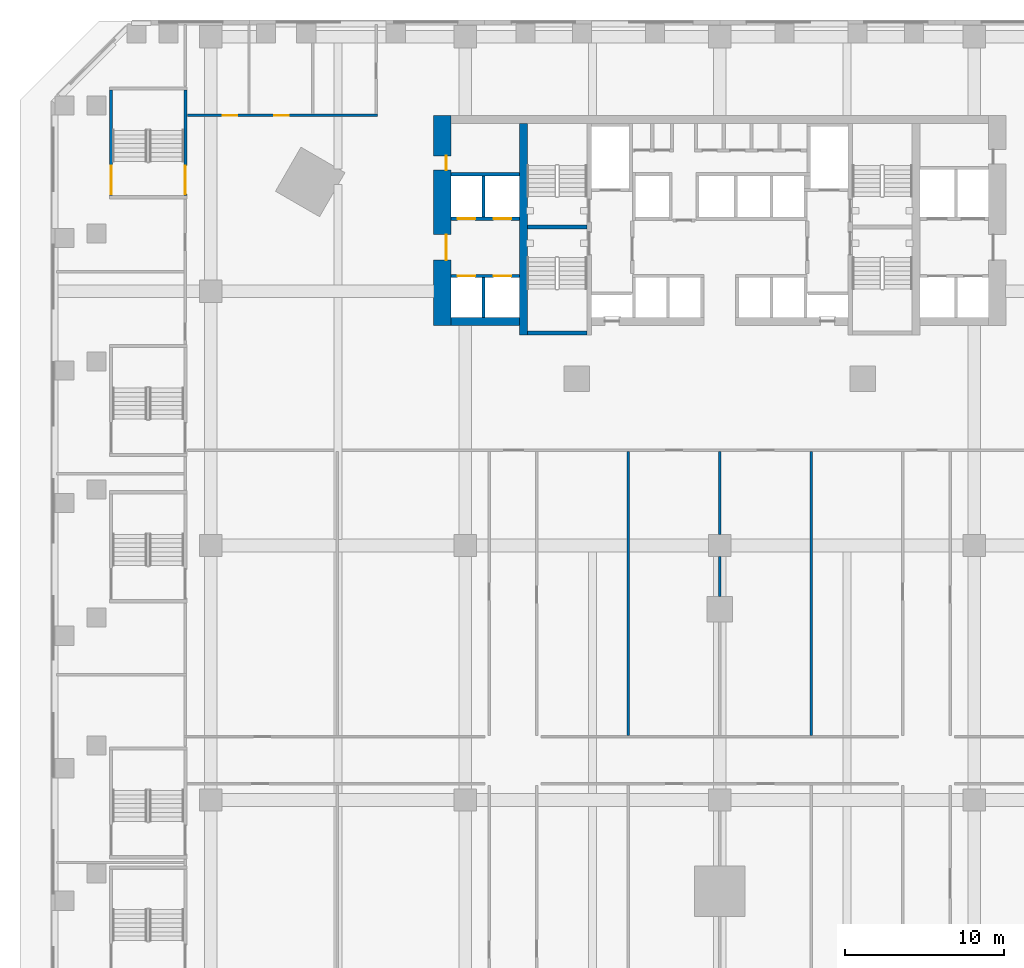
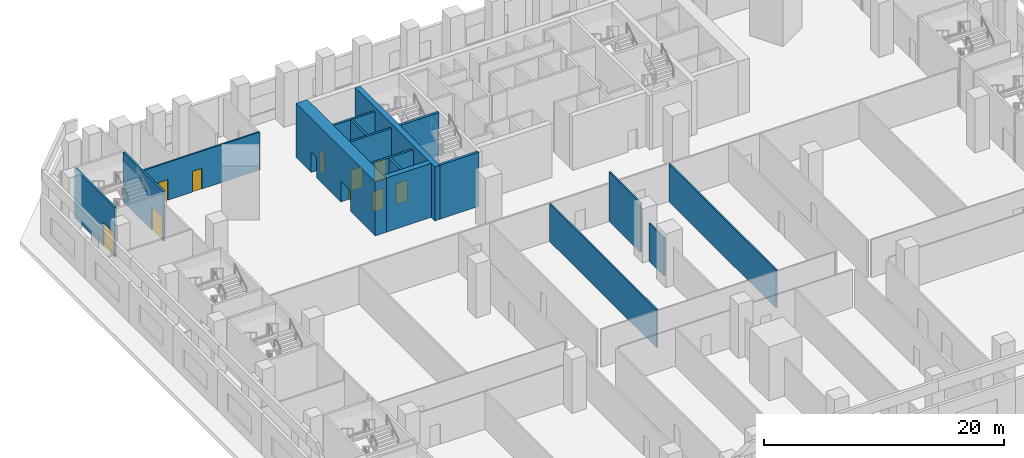
# One storey, part 6 of 22: 17 walls, 10 doors, 10 openings.
"""IFC4 building model written with IfcOpenShell, lengths in metres."""

from ifc_helpers import new_model, si_unit, direction, frame, frame_2d, origin, place, context, subcontext, project, spatial, rectangle, extrude, material, layer, layer_set, type_object, element, fill, save


model = new_model("IFC4")

# Units and contexts
model_context = context("Model", 3, precision=1e-05, world=origin(), true_north=direction((0.0, 1.0)))
body_context = subcontext(model_context, "Body", "Model", "MODEL_VIEW")
ifc_project = project(units=[si_unit("LENGTHUNIT", "METRE"), si_unit("AREAUNIT", "SQUARE_METRE"), si_unit("VOLUMEUNIT", "CUBIC_METRE"), si_unit("PLANEANGLEUNIT", "RADIAN"), si_unit("MASSUNIT", "GRAM", prefix="KILO")], contexts=[model_context])

# Site, building, storey
site_placement = place(None, origin())
site = spatial("IfcSite", under=ifc_project, at=site_placement, CompositionType="ELEMENT")
building_placement = place(site_placement, origin())
building = spatial("IfcBuilding", under=site, at=building_placement, Name="Calabash Gate Tower", CompositionType="ELEMENT")
storey_placement = place(building_placement, frame((0.0, 0.0, 34.5)))
storey = spatial("IfcBuildingStorey", under=building, at=storey_placement, Name="L04", CompositionType="ELEMENT", Elevation=34.5)

# Wall, openings, doors
ifc_material_1 = material(Name="Concrete C80/95", Category="concrete")
ifc_layer_1 = layer(ifc_material_1, 1.10009765625)
ifc_layer_set_1 = layer_set([ifc_layer_1], Name="Core wall 1100 Concrete C80/95")
wall_type_1 = type_object("IfcWallType", Name="Core wall 1100 Concrete C80/95", PredefinedType="SHEAR", material=ifc_layer_set_1)
wall_1_placement = place(storey_placement, frame((-17.449951171875, 5.8525390625, 0.0), z_axis=(0.0, 0.0, 1.0), x_axis=(0.0, 1.0, 0.0)))
wall_1 = element("IfcWall", 1, at=wall_1_placement, inside=storey, type_object=wall_type_1, Name="Core wall Z0-ENDW L04", PredefinedType="SHEAR", context=body_context, shape_type="SweptSolid", body=[
    extrude(rectangle(XDim=13.199951171875, YDim=1.10009765625, at=frame_2d((6.60009765625, 0.0))), origin(), (0.0, 0.0, 1.0), 5.5),
])
opening_1_placement = place(wall_1_placement, frame((4.10009765625, 0.0, 0.0)))
opening_1 = element("IfcOpeningElement", 2, at=opening_1_placement, cuts=wall_1, Name="Opening L04-016", PredefinedType="OPENING", context=body_context, shape_type="SweptSolid", body=[
    extrude(rectangle(XDim=1.60009765625, YDim=2.10009765625, at=frame_2d((0.800048828125, 1.050048828125))), frame((0.0, 0.56005859375, 0.0), z_axis=(0.0, -1.0, 0.0), x_axis=(1.0, 0.0, 0.0)), (0.0, 0.0, 1.0), 1.1201171875),
])
opening_2_placement = place(wall_1_placement, frame((9.75, 0.0, 0.0)))
opening_2 = element("IfcOpeningElement", 3, at=opening_2_placement, cuts=wall_1, Name="Opening L04-017", PredefinedType="OPENING", context=body_context, shape_type="SweptSolid", body=[
    extrude(rectangle(XDim=0.89990234375, YDim=2.10009765625, at=frame_2d((0.449951171875, 1.050048828125))), frame((0.0, 0.56005859375, 0.0), z_axis=(0.0, -1.0, 0.0), x_axis=(1.0, 0.0, 0.0)), (0.0, 0.0, 1.0), 1.1201171875),
])
ifc_material_2 = material(Name="Steel fire door set with fire-resisting glazing", Category="steel")
door_type_1 = type_object("IfcDoorType", Name="Double fire door D08 1600x2100 FD60", OperationType="DOUBLE_DOOR_SINGLE_SWING", PredefinedType="DOOR", material=ifc_material_2)
door_1_placement = place(opening_1_placement, origin())
door_1 = element("IfcDoor", 4, at=door_1_placement, inside=storey, type_object=door_type_1, Name="Low-rise Lift Lobby W door", OperationType="DOUBLE_DOOR_SINGLE_SWING", OverallHeight=2.10009765625, OverallWidth=1.60009765625, PredefinedType="DOOR", context=body_context, shape_type="SweptSolid", body=[
    extrude(rectangle(XDim=1.60009765625, YDim=2.10009765625, at=frame_2d((0.800048828125, 1.050048828125))), frame((0.0, -0.22509765625, 0.0), z_axis=(0.0, -1.0, 0.0), x_axis=(1.0, 0.0, 0.0)), (0.0, 0.0, 1.0), 0.050048828125),
])
fill(opening_1, door_1)
ifc_material_3 = material(Name="Steel fire door set with fire-resisting glazing", Category="steel")
door_type_2 = type_object("IfcDoorType", Name="Fire door D06 900x2100 FD60", OperationType="NOTDEFINED", PredefinedType="DOOR", material=ifc_material_3)
door_2_placement = place(opening_2_placement, origin())
door_2 = element("IfcDoor", 5, at=door_2_placement, inside=storey, type_object=door_type_2, Name="Store door", OperationType="SINGLE_SWING_RIGHT", OverallHeight=2.10009765625, OverallWidth=0.89990234375, PredefinedType="DOOR", context=body_context, shape_type="SweptSolid", body=[
    extrude(rectangle(XDim=0.89990234375, YDim=2.10009765625, at=frame_2d((0.449951171875, 1.050048828125))), frame((0.0, -0.22509765625, 0.0), z_axis=(0.0, -1.0, 0.0), x_axis=(1.0, 0.0, 0.0)), (0.0, 0.0, 1.0), 0.050048828125),
])
fill(opening_2, door_2)

# Walls
ifc_material_4 = material(Name="Concrete C80/95", Category="concrete")
ifc_layer_2 = layer(ifc_material_4, 0.25)
ifc_layer_set_2 = layer_set([ifc_layer_2], Name="Core wall 250 Concrete C80/95")
wall_type_2 = type_object("IfcWallType", Name="Core wall 250 Concrete C80/95", PredefinedType="SHEAR", material=ifc_layer_set_2)
for number, where, z_axis, x_axis, name in (
    (6, (-12.10009765625, 12.027587890625, 0.0), (0.0, 0.0, 1.0), (1.0, 0.0, 0.0), "Core wall Z0-MIDW L04"),
    (7, (-12.10009765625, 5.377685546875, 0.0), (0.0, 0.0, 1.0), (1.0, 0.0, 0.0), "Core wall Z0-SSW L04"),
):
    element("IfcWall", number, at=place(storey_placement, frame(where, z_axis=z_axis, x_axis=x_axis)), inside=storey, type_object=wall_type_2, Name=name, PredefinedType="SHEAR", context=body_context, shape_type="SweptSolid", body=[
        extrude(rectangle(XDim=3.75, YDim=0.25, at=frame_2d((1.875, 0.0))), origin(), (0.0, 0.0, 1.0), 5.5),
    ])
ifc_material_5 = material(Name="Concrete C80/95", Category="concrete")
ifc_layer_3 = layer(ifc_material_5, 0.5)
ifc_layer_set_3 = layer_set([ifc_layer_3], Name="Core wall 500 Concrete C80/95")
wall_type_3 = type_object("IfcWallType", Name="Core wall 500 Concrete C80/95", PredefinedType="SHEAR", material=ifc_layer_set_3)
wall_2_placement = place(storey_placement, frame((-12.35009765625, 5.252685546875, 0.0), z_axis=(0.0, 0.0, 1.0), x_axis=(0.0, 1.0, 0.0)))
element("IfcWall", 8, at=wall_2_placement, inside=storey, type_object=wall_type_3, Name="Core wall Z0-COLW L04", PredefinedType="SHEAR", context=body_context, shape_type="SweptSolid", body=[
    extrude(rectangle(XDim=13.2998046875, YDim=0.5, at=frame_2d((6.64990234375, 0.0))), origin(), (0.0, 0.0, 1.0), 5.5),
])
wall_3_placement = place(storey_placement, frame((-12.60009765625, 6.1025390625, 0.0), z_axis=(0.0, 0.0, 1.0), x_axis=(-1.0, 0.0, 0.0)))
element("IfcWall", 9, at=wall_3_placement, inside=storey, type_object=wall_type_3, Name="Core wall Z0-SW L04", PredefinedType="SHEAR", context=body_context, shape_type="SweptSolid", body=[
    extrude(rectangle(XDim=4.2998046875, YDim=0.5, at=frame_2d((2.14990234375, 0.0))), origin(), (0.0, 0.0, 1.0), 5.5),
])
ifc_material_6 = material(Name="Gypsum board on steel studs, mineral wool", Category="steel")
ifc_layer_4 = layer(ifc_material_6, 0.14990234375)
ifc_layer_set_4 = layer_set([ifc_layer_4], Name="Partition 150 gypsum board")
wall_type_4 = type_object("IfcWallType", Name="Partition 150 gypsum board", PredefinedType="PARTITIONING", material=ifc_layer_set_4)
for number, where, z_axis, x_axis, name in (
    (10, (-5.75, -19.925048828125, 0.0), (0.0, 0.0, 1.0), (0.0, 1.0, 0.0), "Partition"),
    (11, (5.75, -19.925048828125, 0.0), (0.0, 0.0, 1.0), (0.0, 1.0, 0.0), "Partition"),
):
    element("IfcWall", number, at=place(storey_placement, frame(where, z_axis=z_axis, x_axis=x_axis)), inside=storey, type_object=wall_type_4, Name=name, PredefinedType="PARTITIONING", context=body_context, shape_type="SweptSolid", body=[
        extrude(rectangle(XDim=17.85009765625, YDim=0.14990234375, at=frame_2d((8.925048828125, 0.0))), origin(), (0.0, 0.0, 1.0), 3.85009765625),
    ])
wall_4_placement = place(storey_placement, frame((0.0, -11.199951171875, 0.0), z_axis=(0.0, 0.0, 1.0), x_axis=(0.0, 1.0, 0.0)))
element("IfcWall", 12, at=wall_4_placement, inside=storey, type_object=wall_type_4, Name="Partition", PredefinedType="PARTITIONING", context=body_context, shape_type="SweptSolid", body=[
    extrude(rectangle(XDim=2.5, YDim=0.14990234375, at=frame_2d((1.25, 0.0))), origin(), (0.0, 0.0, 1.0), 3.85009765625),
])
wall_5_placement = place(storey_placement, frame((0.0, -7.300048828125, 0.0), z_axis=(0.0, 0.0, 1.0), x_axis=(0.0, 1.0, 0.0)))
element("IfcWall", 13, at=wall_5_placement, inside=storey, type_object=wall_type_4, Name="Partition", PredefinedType="PARTITIONING", context=body_context, shape_type="SweptSolid", body=[
    extrude(rectangle(XDim=5.22509765625, YDim=0.14990234375, at=frame_2d((2.612548828125, 0.0))), origin(), (0.0, 0.0, 1.0), 5.050048828125),
])

# Wall, openings, doors
wall_6_placement = place(storey_placement, frame((-33.4599609375, 19.050048828125, 0.0), z_axis=(0.0, 0.0, 1.0), x_axis=(1.0, 0.0, 0.0)))
wall_6 = element("IfcWall", 14, at=wall_6_placement, inside=storey, type_object=wall_type_4, Name="Partition", PredefinedType="PARTITIONING", context=body_context, shape_type="SweptSolid", body=[
    extrude(rectangle(XDim=11.93505859375, YDim=0.14990234375, at=frame_2d((5.967529296875, 0.0))), origin(), (0.0, 0.0, 1.0), 3.85009765625),
])
opening_3_placement = place(wall_6_placement, frame((2.2109375, 0.0, 0.0)))
opening_3 = element("IfcOpeningElement", 15, at=opening_3_placement, cuts=wall_6, Name="Opening L04-040", PredefinedType="OPENING", context=body_context, shape_type="SweptSolid", body=[
    extrude(rectangle(XDim=0.89990234375, YDim=2.10009765625, at=frame_2d((0.449951171875, 1.050048828125))), frame((0.0, 0.0849609375, 0.0), z_axis=(0.0, -1.0, 0.0), x_axis=(1.0, 0.0, 0.0)), (0.0, 0.0, 1.0), 0.169921875),
])
opening_4_placement = place(wall_6_placement, frame((5.4599609375, 0.0, 0.0)))
opening_4 = element("IfcOpeningElement", 16, at=opening_4_placement, cuts=wall_6, Name="Opening L04-041", PredefinedType="OPENING", context=body_context, shape_type="SweptSolid", body=[
    extrude(rectangle(XDim=0.89990234375, YDim=2.10009765625, at=frame_2d((0.449951171875, 1.050048828125))), frame((0.0, 0.0849609375, 0.0), z_axis=(0.0, -1.0, 0.0), x_axis=(1.0, 0.0, 0.0)), (0.0, 0.0, 1.0), 0.169921875),
])
ifc_material_7 = material(Name="Steel fire door set with fire-resisting glazing", Category="steel")
door_type_3 = type_object("IfcDoorType", Name="Fire door D13 900x2100 FD30", OperationType="NOTDEFINED", PredefinedType="DOOR", material=ifc_material_7)
door_3_placement = place(opening_3_placement, origin())
door_3 = element("IfcDoor", 17, at=door_3_placement, inside=storey, type_object=door_type_3, Name="Men's WC door", OperationType="SINGLE_SWING_LEFT", OverallHeight=2.10009765625, OverallWidth=0.89990234375, PredefinedType="DOOR", context=body_context, shape_type="SweptSolid", body=[
    extrude(rectangle(XDim=0.89990234375, YDim=2.10009765625, at=frame_2d((0.449951171875, 1.050048828125))), frame((0.0, 0.02490234375, 0.0), z_axis=(0.0, -1.0, 0.0), x_axis=(1.0, 0.0, 0.0)), (0.0, 0.0, 1.0), 0.050048828125),
])
fill(opening_3, door_3)
door_4_placement = place(opening_4_placement, origin())
door_4 = element("IfcDoor", 18, at=door_4_placement, inside=storey, type_object=door_type_3, Name="Women's WC door", OperationType="SINGLE_SWING_LEFT", OverallHeight=2.10009765625, OverallWidth=0.89990234375, PredefinedType="DOOR", context=body_context, shape_type="SweptSolid", body=[
    extrude(rectangle(XDim=0.89990234375, YDim=2.10009765625, at=frame_2d((0.449951171875, 1.050048828125))), frame((0.0, 0.02490234375, 0.0), z_axis=(0.0, -1.0, 0.0), x_axis=(1.0, 0.0, 0.0)), (0.0, 0.0, 1.0), 0.050048828125),
])
fill(opening_4, door_4)

# Wall
ifc_material_8 = material(Name="Concrete C40/50", Category="concrete")
ifc_layer_5 = layer(ifc_material_8, 0.199951171875)
ifc_layer_set_5 = layer_set([ifc_layer_5], Name="Shaft wall 200 Concrete C40/50")
wall_type_5 = type_object("IfcWallType", Name="Shaft wall 200 Concrete C40/50", PredefinedType="SOLIDWALL", material=ifc_layer_set_5)
wall_7_placement = place(storey_placement, frame((-14.85009765625, 6.3525390625, 0.0), z_axis=(0.0, 0.0, 1.0), x_axis=(0.0, 1.0, 0.0)))
element("IfcWall", 19, at=wall_7_placement, inside=storey, type_object=wall_type_5, Name="Shaft wall", PredefinedType="SOLIDWALL", context=body_context, shape_type="SweptSolid", body=[
    extrude(rectangle(XDim=2.5, YDim=0.199951171875, at=frame_2d((1.25, 0.0))), origin(), (0.0, 0.0, 1.0), 5.050048828125),
])

# Wall, openings, doors
wall_8_placement = place(storey_placement, frame((-16.89990234375, 8.95263671875, 0.0), z_axis=(0.0, 0.0, 1.0), x_axis=(1.0, 0.0, 0.0)))
wall_8 = element("IfcWall", 20, at=wall_8_placement, inside=storey, type_object=wall_type_5, Name="Shaft wall", PredefinedType="SOLIDWALL", context=body_context, shape_type="SweptSolid", body=[
    extrude(rectangle(XDim=4.2998046875, YDim=0.199951171875, at=frame_2d((2.14990234375, 0.0))), origin(), (0.0, 0.0, 1.0), 5.050048828125),
])
opening_5_placement = place(wall_8_placement, frame((2.675048828125, 0.0, 0.0)))
opening_5 = element("IfcOpeningElement", 21, at=opening_5_placement, cuts=wall_8, Name="Opening LD-LR1", PredefinedType="OPENING", context=body_context, shape_type="SweptSolid", body=[
    extrude(rectangle(XDim=1.10009765625, YDim=2.10009765625, at=frame_2d((0.550048828125, 1.050048828125))), frame((0.0, 0.10986328125, 0.0), z_axis=(0.0, -1.0, 0.0), x_axis=(1.0, 0.0, 0.0)), (0.0, 0.0, 1.0), 0.219970703125),
])
opening_6_placement = place(wall_8_placement, frame((0.425048828125, 0.0, 0.0)))
opening_6 = element("IfcOpeningElement", 22, at=opening_6_placement, cuts=wall_8, Name="Opening LD-LR2", PredefinedType="OPENING", context=body_context, shape_type="SweptSolid", body=[
    extrude(rectangle(XDim=1.10009765625, YDim=2.10009765625, at=frame_2d((0.550048828125, 1.050048828125))), frame((0.0, 0.10986328125, 0.0), z_axis=(0.0, -1.0, 0.0), x_axis=(1.0, 0.0, 0.0)), (0.0, 0.0, 1.0), 0.219970703125),
])
ifc_material_9 = material(Name="Stainless steel sliding door leaves", Category="steel")
door_type_4 = type_object("IfcDoorType", Name="Lift landing door LS1 1100x2100 FD90", OperationType="DOUBLE_DOOR_SLIDING", PredefinedType="DOOR", material=ifc_material_9)
door_5_placement = place(opening_5_placement, origin())
door_5 = element("IfcDoor", 23, at=door_5_placement, inside=storey, type_object=door_type_4, Name="Lift landing door LR1", OperationType="DOUBLE_DOOR_SLIDING", OverallHeight=2.10009765625, OverallWidth=1.10009765625, PredefinedType="DOOR", context=body_context, shape_type="SweptSolid", body=[
    extrude(rectangle(XDim=1.10009765625, YDim=2.10009765625, at=frame_2d((0.550048828125, 1.050048828125))), frame((0.0, 0.02490234375, 0.0), z_axis=(0.0, -1.0, 0.0), x_axis=(1.0, 0.0, 0.0)), (0.0, 0.0, 1.0), 0.050048828125),
])
fill(opening_5, door_5)
door_6_placement = place(opening_6_placement, origin())
door_6 = element("IfcDoor", 24, at=door_6_placement, inside=storey, type_object=door_type_4, Name="Lift landing door LR2", OperationType="DOUBLE_DOOR_SLIDING", OverallHeight=2.10009765625, OverallWidth=1.10009765625, PredefinedType="DOOR", context=body_context, shape_type="SweptSolid", body=[
    extrude(rectangle(XDim=1.10009765625, YDim=2.10009765625, at=frame_2d((0.550048828125, 1.050048828125))), frame((0.0, 0.02490234375, 0.0), z_axis=(0.0, -1.0, 0.0), x_axis=(1.0, 0.0, 0.0)), (0.0, 0.0, 1.0), 0.050048828125),
])
fill(opening_6, door_6)

wall_9_placement = place(storey_placement, frame((-16.89990234375, 12.552490234375, 0.0), z_axis=(0.0, 0.0, 1.0), x_axis=(1.0, 0.0, 0.0)))
wall_9 = element("IfcWall", 25, at=wall_9_placement, inside=storey, type_object=wall_type_5, Name="Shaft wall", PredefinedType="SOLIDWALL", context=body_context, shape_type="SweptSolid", body=[
    extrude(rectangle(XDim=4.2998046875, YDim=0.199951171875, at=frame_2d((2.14990234375, 0.0))), origin(), (0.0, 0.0, 1.0), 5.050048828125),
])
opening_7_placement = place(wall_9_placement, frame((2.675048828125, 0.0, 0.0)))
opening_7 = element("IfcOpeningElement", 26, at=opening_7_placement, cuts=wall_9, Name="Opening LD-LR3", PredefinedType="OPENING", context=body_context, shape_type="SweptSolid", body=[
    extrude(rectangle(XDim=1.10009765625, YDim=2.10009765625, at=frame_2d((0.550048828125, 1.050048828125))), frame((0.0, 0.10986328125, 0.0), z_axis=(0.0, -1.0, 0.0), x_axis=(1.0, 0.0, 0.0)), (0.0, 0.0, 1.0), 0.219970703125),
])
opening_8_placement = place(wall_9_placement, frame((0.425048828125, 0.0, 0.0)))
opening_8 = element("IfcOpeningElement", 27, at=opening_8_placement, cuts=wall_9, Name="Opening LD-LR4", PredefinedType="OPENING", context=body_context, shape_type="SweptSolid", body=[
    extrude(rectangle(XDim=1.10009765625, YDim=2.10009765625, at=frame_2d((0.550048828125, 1.050048828125))), frame((0.0, 0.10986328125, 0.0), z_axis=(0.0, -1.0, 0.0), x_axis=(1.0, 0.0, 0.0)), (0.0, 0.0, 1.0), 0.219970703125),
])
door_7_placement = place(opening_7_placement, origin())
door_7 = element("IfcDoor", 28, at=door_7_placement, inside=storey, type_object=door_type_4, Name="Lift landing door LR3", OperationType="DOUBLE_DOOR_SLIDING", OverallHeight=2.10009765625, OverallWidth=1.10009765625, PredefinedType="DOOR", context=body_context, shape_type="SweptSolid", body=[
    extrude(rectangle(XDim=1.10009765625, YDim=2.10009765625, at=frame_2d((0.550048828125, 1.050048828125))), frame((0.0, 0.02490234375, 0.0), z_axis=(0.0, -1.0, 0.0), x_axis=(1.0, 0.0, 0.0)), (0.0, 0.0, 1.0), 0.050048828125),
])
fill(opening_7, door_7)
door_8_placement = place(opening_8_placement, origin())
door_8 = element("IfcDoor", 29, at=door_8_placement, inside=storey, type_object=door_type_4, Name="Lift landing door LR4", OperationType="DOUBLE_DOOR_SLIDING", OverallHeight=2.10009765625, OverallWidth=1.10009765625, PredefinedType="DOOR", context=body_context, shape_type="SweptSolid", body=[
    extrude(rectangle(XDim=1.10009765625, YDim=2.10009765625, at=frame_2d((0.550048828125, 1.050048828125))), frame((0.0, 0.02490234375, 0.0), z_axis=(0.0, -1.0, 0.0), x_axis=(1.0, 0.0, 0.0)), (0.0, 0.0, 1.0), 0.050048828125),
])
fill(opening_8, door_8)

# Walls
wall_10_placement = place(storey_placement, frame((-14.85009765625, 12.652587890625, 0.0), z_axis=(0.0, 0.0, 1.0), x_axis=(0.0, 1.0, 0.0)))
element("IfcWall", 30, at=wall_10_placement, inside=storey, type_object=wall_type_5, Name="Shaft wall", PredefinedType="SOLIDWALL", context=body_context, shape_type="SweptSolid", body=[
    extrude(rectangle(XDim=2.60009765625, YDim=0.199951171875, at=frame_2d((1.300048828125, 0.0))), origin(), (0.0, 0.0, 1.0), 5.050048828125),
])
wall_11_placement = place(storey_placement, frame((-16.89990234375, 15.3525390625, 0.0), z_axis=(0.0, 0.0, 1.0), x_axis=(1.0, 0.0, 0.0)))
element("IfcWall", 31, at=wall_11_placement, inside=storey, type_object=wall_type_5, Name="Shaft wall", PredefinedType="SOLIDWALL", context=body_context, shape_type="SweptSolid", body=[
    extrude(rectangle(XDim=4.2998046875, YDim=0.199951171875, at=frame_2d((2.14990234375, 0.0))), origin(), (0.0, 0.0, 1.0), 5.050048828125),
])

# Wall, opening, door
ifc_material_10 = material(Name="Concrete C40/50", Category="concrete")
ifc_layer_6 = layer(ifc_material_10, 0.199951171875)
ifc_layer_set_6 = layer_set([ifc_layer_6], Name="Stair wall 200 Concrete C40/50")
wall_type_6 = type_object("IfcWallType", Name="Stair wall 200 Concrete C40/50", PredefinedType="SOLIDWALL", material=ifc_layer_set_6)
wall_12_placement = place(storey_placement, frame((-38.27001953125, 14.0, 0.0), z_axis=(0.0, 0.0, 1.0), x_axis=(0.0, 1.0, 0.0)))
wall_12 = element("IfcWall", 32, at=wall_12_placement, inside=storey, type_object=wall_type_6, Name="Stair wall", PredefinedType="SOLIDWALL", context=body_context, shape_type="SweptSolid", body=[
    extrude(rectangle(XDim=6.64990234375, YDim=0.199951171875, at=frame_2d((3.324951171875, 0.0))), origin(), (0.0, 0.0, 1.0), 5.050048828125),
])
opening_9_placement = place(wall_12_placement, frame((0.10009765625, 0.0, 0.0)))
opening_9 = element("IfcOpeningElement", 33, at=opening_9_placement, cuts=wall_12, Name="Opening L04-029", PredefinedType="OPENING", context=body_context, shape_type="SweptSolid", body=[
    extrude(rectangle(XDim=1.800048828125, YDim=2.39990234375, at=frame_2d((0.89990234375, 1.199951171875))), frame((0.0, 0.10986328125, 0.0), z_axis=(0.0, -1.0, 0.0), x_axis=(1.0, 0.0, 0.0)), (0.0, 0.0, 1.0), 0.219970703125),
])
ifc_material_11 = material(Name="Steel fire door set with fire-resisting glazing", Category="steel")
door_type_5 = type_object("IfcDoorType", Name="Double fire door D16 1800x2400 FD90", OperationType="DOUBLE_DOOR_SINGLE_SWING", PredefinedType="DOOR", material=ifc_material_11)
door_9_placement = place(opening_9_placement, origin())
door_9 = element("IfcDoor", 34, at=door_9_placement, inside=storey, type_object=door_type_5, Name="Exit stair door PS5", OperationType="DOUBLE_DOOR_SINGLE_SWING", OverallHeight=2.39990234375, OverallWidth=1.800048828125, PredefinedType="DOOR", context=body_context, shape_type="SweptSolid", body=[
    extrude(rectangle(XDim=1.800048828125, YDim=2.39990234375, at=frame_2d((0.89990234375, 1.199951171875))), frame((0.0, 0.02490234375, 0.0), z_axis=(0.0, -1.0, 0.0), x_axis=(1.0, 0.0, 0.0)), (0.0, 0.0, 1.0), 0.050048828125),
])
fill(opening_9, door_9)

wall_13_placement = place(storey_placement, frame((-33.60009765625, 14.0, 0.0), z_axis=(0.0, 0.0, 1.0), x_axis=(0.0, 1.0, 0.0)))
wall_13 = element("IfcWall", 35, at=wall_13_placement, inside=storey, type_object=wall_type_6, Name="Stair wall", PredefinedType="SOLIDWALL", context=body_context, shape_type="SweptSolid", body=[
    extrude(rectangle(XDim=6.64990234375, YDim=0.199951171875, at=frame_2d((3.324951171875, 0.0))), origin(), (0.0, 0.0, 1.0), 5.050048828125),
])
opening_10_placement = place(wall_13_placement, frame((0.10009765625, 0.0, 0.0)))
opening_10 = element("IfcOpeningElement", 36, at=opening_10_placement, cuts=wall_13, Name="Opening L04-028", PredefinedType="OPENING", context=body_context, shape_type="SweptSolid", body=[
    extrude(rectangle(XDim=1.800048828125, YDim=2.39990234375, at=frame_2d((0.89990234375, 1.199951171875))), frame((0.0, 0.10986328125, 0.0), z_axis=(0.0, -1.0, 0.0), x_axis=(1.0, 0.0, 0.0)), (0.0, 0.0, 1.0), 0.219970703125),
])
door_10_placement = place(opening_10_placement, origin())
door_10 = element("IfcDoor", 37, at=door_10_placement, inside=storey, type_object=door_type_5, Name="Exit stair door PS5", OperationType="DOUBLE_DOOR_SINGLE_SWING", OverallHeight=2.39990234375, OverallWidth=1.800048828125, PredefinedType="DOOR", context=body_context, shape_type="SweptSolid", body=[
    extrude(rectangle(XDim=1.800048828125, YDim=2.39990234375, at=frame_2d((0.89990234375, 1.199951171875))), frame((0.0, 0.02490234375, 0.0), z_axis=(0.0, -1.0, 0.0), x_axis=(1.0, 0.0, 0.0)), (0.0, 0.0, 1.0), 0.050048828125),
])
fill(opening_10, door_10)

save(model, "model.ifc")
